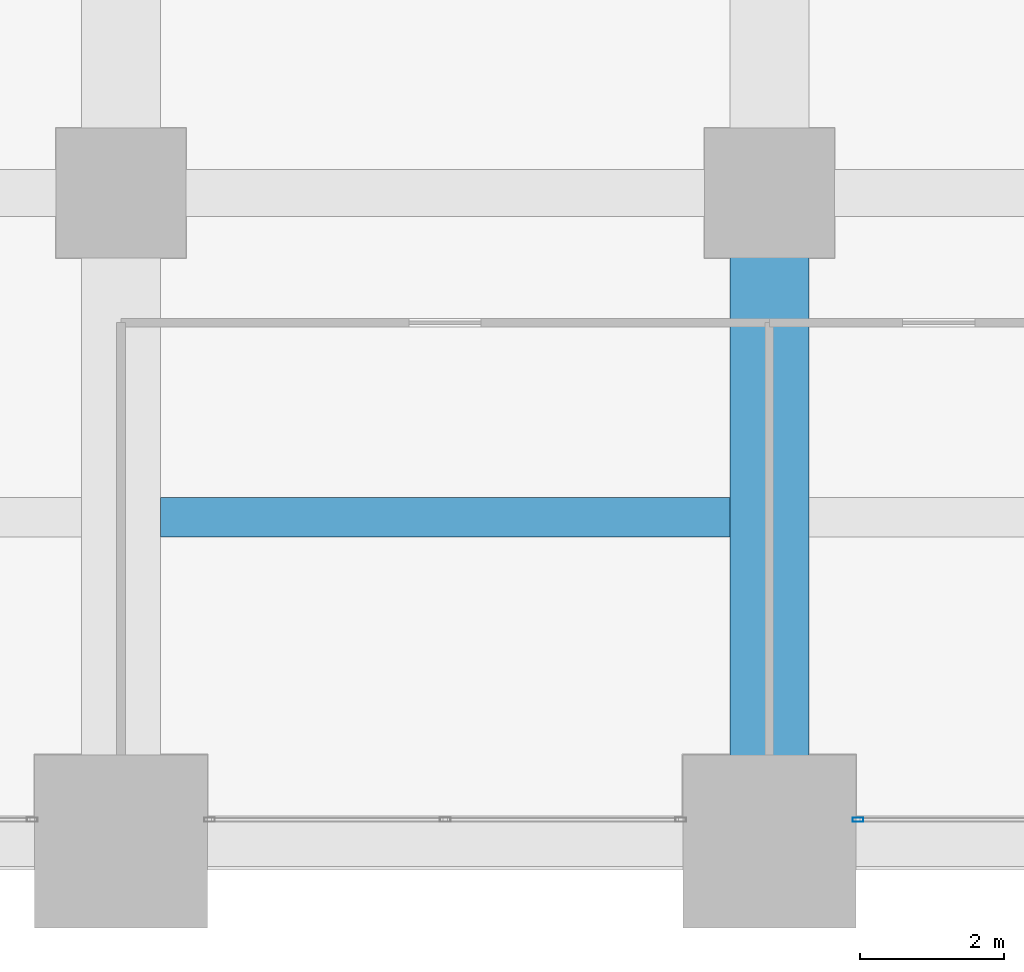
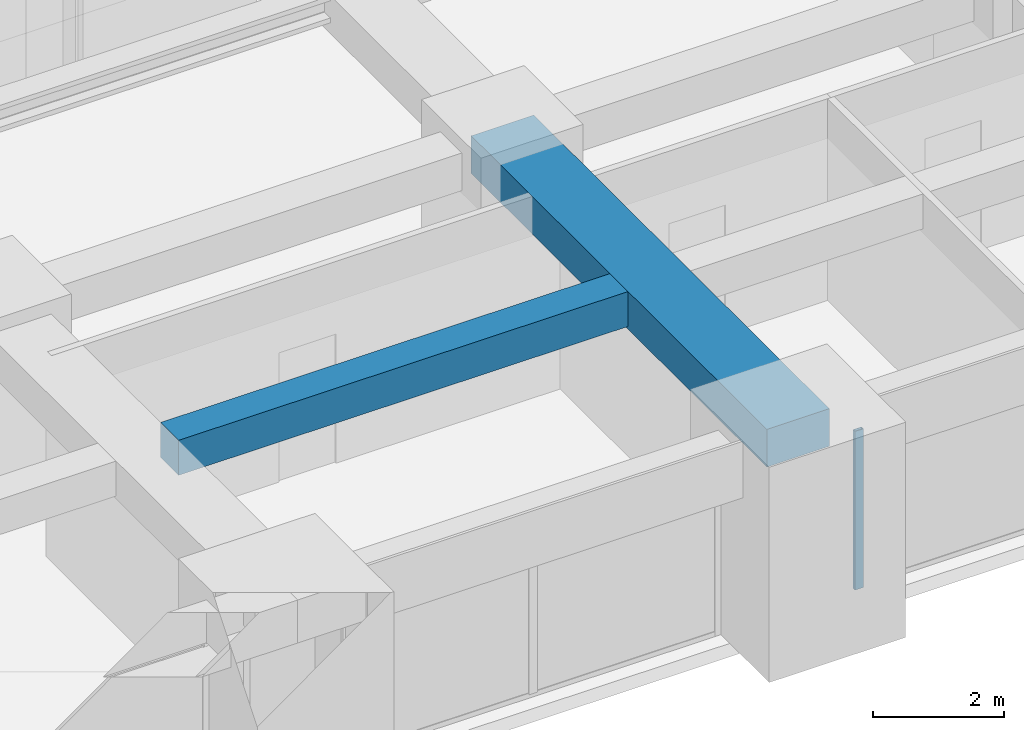
# One storey, part 14 of 41: 2 beams, 1 member, 1 element without a shape of its own.
"""IFC4 building model written with IfcOpenShell, lengths in metres."""

import ifcopenshell
import ifcopenshell.guid

model = None  # the IFC model being written
_history = None  # IfcOwnerHistory: only IFC2X3 demands one
_inside = {}  # id of a spatial element -> (the spatial element, [elements in it])
_under = {}  # id of a project, library or spatial element -> (it, [spatial elements below it])
_declared = {}  # id of a project -> (the project, [libraries it declares])
_typed = {}  # id of a type object -> (the type object, [elements of that type])
_made_of = {}  # id of a material, layer set ... -> (it, [elements and type objects made of it])


def new_model(schema):
    """Start an empty IFC model of exactly this schema.

    Asked for "IFC4X3", IfcOpenShell would pick the latest addendum, in which some entities
    have other attributes; the version numbers below select the first issue.
    IFC2X3 requires an IfcOwnerHistory on every rooted entity: one is made here for all.
    """
    global model, _history
    if schema == "IFC4X3":
        model = ifcopenshell.file(schema_version=(4, 3, 0, 0))
    else:
        model = ifcopenshell.file(schema=schema)
    _inside.clear()
    _under.clear()
    _declared.clear()
    _typed.clear()
    _made_of.clear()
    _history = None
    if model.schema == "IFC2X3":
        org = make("IfcOrganization", Name="unknown")
        user = make(
            "IfcPersonAndOrganization",
            ThePerson=make("IfcPerson", FamilyName="unknown"),
            TheOrganization=org,
        )
        app = make(
            "IfcApplication",
            ApplicationDeveloper=org,
            Version="unknown",
            ApplicationFullName="unknown",
            ApplicationIdentifier="unknown",
        )
        _history = make(
            "IfcOwnerHistory",
            OwningUser=user,
            OwningApplication=app,
            ChangeAction="ADDED",
            CreationDate=0,
        )
    return model


def make(cls, **values):
    """One entity of the class cls with the attributes given. An attribute that is None is left unset."""
    return model.create_entity(
        cls, **{name: value for name, value in values.items() if value is not None}
    )


def rooted(cls, **values):
    """An entity with a GlobalId (a new one), such as an element, a storey or a relation."""
    return make(cls, GlobalId=ifcopenshell.guid.new(), OwnerHistory=_history, **values)


def si_unit(unit_type, name, prefix=None):
    """IfcSIUnit, for example si_unit("LENGTHUNIT", "METRE", prefix="MILLI")."""
    return make("IfcSIUnit", UnitType=unit_type, Prefix=prefix, Name=name)


def assignment(units):
    """IfcUnitAssignment: the units of a project."""
    return None if units is None else make("IfcUnitAssignment", Units=units)


def point(xyz):
    """IfcCartesianPoint."""
    return None if xyz is None else make("IfcCartesianPoint", Coordinates=xyz)


def direction(xyz):
    """IfcDirection."""
    return None if xyz is None else make("IfcDirection", DirectionRatios=xyz)


def frame(location, z_axis=None, x_axis=None):
    """IfcAxis2Placement3D, a coordinate frame: its origin and axes. An axis left out is left unset."""
    return make(
        "IfcAxis2Placement3D",
        Location=point(location),
        Axis=direction(z_axis),
        RefDirection=direction(x_axis),
    )


def frame_2d(location, x_axis=None):
    """IfcAxis2Placement2D, a coordinate frame in the plane: its origin and x axis."""
    return make(
        "IfcAxis2Placement2D", Location=point(location), RefDirection=direction(x_axis)
    )


def origin():
    """The frame at (0, 0, 0) with its axes left unset."""
    return frame((0.0, 0.0, 0.0))


def origin_2d():
    """The frame at (0, 0) in the plane with its x axis left unset."""
    return frame_2d((0.0, 0.0))


def place(relative_to, where):
    """IfcLocalPlacement: puts the frame where relative to a parent placement (None: the world)."""
    return make(
        "IfcLocalPlacement", PlacementRelTo=relative_to, RelativePlacement=where
    )


def context(
    kind, dimensions, precision=None, world=None, true_north=None, identifier=None
):
    """IfcGeometricRepresentationContext, for example the 3D "Model" context."""
    return make(
        "IfcGeometricRepresentationContext",
        ContextIdentifier=identifier,
        ContextType=kind,
        CoordinateSpaceDimension=dimensions,
        Precision=precision,
        WorldCoordinateSystem=world,
        TrueNorth=true_north,
    )


def subcontext(parent, identifier, kind, view, scale=None):
    """IfcGeometricRepresentationSubContext, for example "Body" below "Model"."""
    return make(
        "IfcGeometricRepresentationSubContext",
        ContextIdentifier=identifier,
        ContextType=kind,
        ParentContext=parent,
        TargetScale=scale,
        TargetView=view,
    )


def project(units=None, contexts=None):
    """IfcProject with its units and contexts."""
    return rooted(
        "IfcProject",
        Name="project",
        RepresentationContexts=contexts,
        UnitsInContext=assignment(units),
    )


def spatial(cls, under=None, at=None, **own):
    """A site, building, storey or space (cls), placed at a placement, below another one or the project."""
    s = rooted(cls, ObjectPlacement=at, **own)
    if under is not None:
        _under.setdefault(under.id(), (under, []))[1].append(s)
    return s


def profile(cls, at=None, kind="AREA", **sizes):
    """A parametric profile (cls). Its sizes go by their IFC names, for example OverallWidth=200.0."""
    return make(cls, ProfileType=kind, Position=at, **sizes)


def rectangle(**sizes):
    """IfcRectangleProfileDef."""
    return profile("IfcRectangleProfileDef", **sizes)


def hollow_rectangle(**sizes):
    """IfcRectangleHollowProfileDef."""
    return profile("IfcRectangleHollowProfileDef", **sizes)


def extrude(swept, where, along, depth):
    """IfcExtrudedAreaSolid: the profile swept, set in the frame where, extruded along a direction by depth."""
    return make(
        "IfcExtrudedAreaSolid",
        SweptArea=swept,
        Position=where,
        ExtrudedDirection=direction(along),
        Depth=depth,
    )


def shape(context_of_items, identifier, shape_type, items):
    """IfcShapeRepresentation: the items that make up one representation, for example the "Body"."""
    return make(
        "IfcShapeRepresentation",
        ContextOfItems=context_of_items,
        RepresentationIdentifier=identifier,
        RepresentationType=shape_type,
        Items=items,
    )


def material(Name=None, Category=None):
    """IfcMaterial."""
    return make("IfcMaterial", Name=Name, Category=Category)


def material_profile(
    of_material, cross_section, Name=None, Category=None, Priority=None
):
    """IfcMaterialProfile: a cross section and its material."""
    return make(
        "IfcMaterialProfile",
        Name=Name,
        Material=of_material,
        Profile=cross_section,
        Priority=Priority,
        Category=Category,
    )


def profile_set(profiles, Name=None, composite=None):
    """IfcMaterialProfileSet."""
    return make(
        "IfcMaterialProfileSet",
        Name=Name,
        MaterialProfiles=profiles,
        CompositeProfile=composite,
    )


def made_of(thing, what):
    """Note that an element or type object is made of a material, layer set ...; save() writes the relation."""
    if what is not None:
        _made_of.setdefault(what.id(), (what, []))[1].append(thing)
    return thing


def type_object(cls, material=None, **own):
    """A type object (cls), such as IfcWallType, which elements share."""
    return made_of(rooted(cls, **own), material)


def element(
    cls,
    number,
    at=None,
    inside=None,
    cuts=None,
    type_object=None,
    material=None,
    context=None,
    identifier="Body",
    shape_type=None,
    held_by="IfcProductDefinitionShape",
    body=None,
    shapes=None,
    **own,
):
    """One element of the class cls, such as IfcWall. Its Tag is "e" and its number.

    at: its placement. inside: the storey or other place that contains it. cuts: it is an
    opening in that element (IfcRelVoidsElement). A single representation is given by context,
    identifier, shape_type and body (its items); several are given by shapes. held_by: the class
    of the entity that holds the representations. save() writes the other relations.
    """
    e = rooted(cls, Tag="e%d" % number, ObjectPlacement=at, **own)
    if body is not None:
        shapes = [shape(context, identifier, shape_type, body)]
    if shapes is not None:
        e.Representation = make(held_by, Representations=shapes)
    if inside is not None:
        _inside.setdefault(inside.id(), (inside, []))[1].append(e)
    if cuts is not None:
        rooted(
            "IfcRelVoidsElement", RelatingBuildingElement=cuts, RelatedOpeningElement=e
        )
    if type_object is not None:
        _typed.setdefault(type_object.id(), (type_object, []))[1].append(e)
    return made_of(e, material)


def aggregate(whole, parts):
    """IfcRelAggregates: a whole, such as a stair, and the parts it consists of."""
    return rooted("IfcRelAggregates", RelatingObject=whole, RelatedObjects=parts)


def save(model, path):
    """Write the relations noted so far, then the file.

    IfcRelAggregates (storeys below a building ...), IfcRelContainedInSpatialStructure (elements
    in a storey), IfcRelDefinesByType, IfcRelAssociatesMaterial and IfcRelDeclares: one each for
    every whole, place, type object, material and project.
    """
    for whole, parts in _under.values():
        aggregate(whole, parts)
    for where, things in _inside.values():
        rooted(
            "IfcRelContainedInSpatialStructure",
            RelatedElements=things,
            RelatingStructure=where,
        )
    for kind, things in _typed.values():
        rooted("IfcRelDefinesByType", RelatedObjects=things, RelatingType=kind)
    for what, things in _made_of.values():
        rooted("IfcRelAssociatesMaterial", RelatedObjects=things, RelatingMaterial=what)
    for by, libraries in _declared.values():
        rooted("IfcRelDeclares", RelatingContext=by, RelatedDefinitions=libraries)
    model.write(path)


model = new_model("IFC4")

# Units and contexts
model_context = context("Model", 3, precision=1e-05, world=origin(), true_north=direction((0.0, 1.0)))
body_context = subcontext(model_context, "Body", "Model", "MODEL_VIEW")
ifc_project = project(units=[si_unit("LENGTHUNIT", "METRE"), si_unit("AREAUNIT", "SQUARE_METRE"), si_unit("VOLUMEUNIT", "CUBIC_METRE"), si_unit("PLANEANGLEUNIT", "RADIAN"), si_unit("MASSUNIT", "GRAM", prefix="KILO")], contexts=[model_context])

# Site, building, storey
site_placement = place(None, origin())
site = spatial("IfcSite", under=ifc_project, at=site_placement, CompositionType="ELEMENT")
building_placement = place(site_placement, origin())
building = spatial("IfcBuilding", under=site, at=building_placement, Name="Zorevar Civic Tower", CompositionType="ELEMENT")
storey_placement = place(building_placement, frame((0.0, 0.0, 137.0)))
storey = spatial("IfcBuildingStorey", under=building, at=storey_placement, Name="L33", CompositionType="ELEMENT", Elevation=137.0)

# Beams
ifc_material_1 = material(Name="Concrete C50/60", Category="concrete")
ifc_material_profile_1 = material_profile(ifc_material_1, rectangle(XDim=1.10009765625, YDim=0.699951171875, at=origin_2d()), Name="RC 1100x700")
ifc_profile_set_1 = profile_set([ifc_material_profile_1], Name="Concrete C50/60")
beam_type_1 = type_object("IfcBeamType", Name="Beam RC 1100x700", PredefinedType="BEAM", material=ifc_profile_set_1)
beam_1_placement = place(storey_placement, frame((45.0, 0.0, 3.39990234375), z_axis=(0.0, 1.0, 0.0), x_axis=(-1.0, 0.0, 0.0)))
element("IfcBeam", 1, at=beam_1_placement, inside=storey, type_object=beam_type_1, Name="Girder L34", PredefinedType="BEAM", context=body_context, shape_type="SweptSolid", body=[
    extrude(rectangle(XDim=1.10009765625, YDim=0.699951171875, at=origin_2d()), origin(), (0.0, 0.0, 1.0), 9.0),
])
ifc_material_2 = material(Name="Concrete C50/60", Category="concrete")
ifc_material_profile_2 = material_profile(ifc_material_2, rectangle(XDim=0.550048828125, YDim=0.64990234375, at=origin_2d()), Name="RC 550x650")
ifc_profile_set_2 = profile_set([ifc_material_profile_2], Name="Concrete C50/60")
beam_type_2 = type_object("IfcBeamType", Name="Beam RC 550x650", PredefinedType="BEAM", material=ifc_profile_set_2)
beam_2_placement = place(storey_placement, frame((36.550048828125, 4.5, 3.425048828125), z_axis=(1.0, 0.0, 0.0), x_axis=(0.0, 1.0, 0.0)))
element("IfcBeam", 2, at=beam_2_placement, inside=storey, type_object=beam_type_2, Name="Secondary beam L34", PredefinedType="BEAM", context=body_context, shape_type="SweptSolid", body=[
    extrude(rectangle(XDim=0.550048828125, YDim=0.64990234375, at=origin_2d()), origin(), (0.0, 0.0, 1.0), 7.89990234375),
])

# Curtain wall, member
ifc_material_3 = material(Name="Dark grey solar-control glass in black aluminium frame", Category="aluminium")
curtain_wall_type = type_object("IfcCurtainWallType", Name="Curtain wall CW3 mid zone", PredefinedType="NOTDEFINED", material=ifc_material_3)
curtain_wall_placement = place(storey_placement, origin())
curtain_wall = element("IfcCurtainWall", 3, at=curtain_wall_placement, inside=storey, type_object=curtain_wall_type, Name="CW3 L33", PredefinedType="NOTDEFINED")
ifc_material_4 = material(Name="Aluminium, black anodised", Category="aluminium")
ifc_material_profile_3 = material_profile(ifc_material_4, hollow_rectangle(XDim=0.06005859375, YDim=0.14990234375, WallThickness=0.00390625, at=origin_2d()), Name="AL 150x60x4")
ifc_profile_set_3 = profile_set([ifc_material_profile_3], Name="Aluminium, black anodised")
member_type = type_object("IfcMemberType", Name="CW3 mullion AL 150x60x4", PredefinedType="MULLION", material=ifc_profile_set_3)
member_placement = place(storey_placement, frame((46.22998046875, 0.300048828125, 0.0), z_axis=(0.0, 0.0, 1.0), x_axis=(0.0, 1.0, 0.0)))
member = element("IfcMember", 4, at=member_placement, type_object=member_type, Name="CW3 mullion 1", PredefinedType="MULLION", context=body_context, shape_type="SweptSolid", body=[
    extrude(hollow_rectangle(XDim=0.06005859375, YDim=0.14990234375, WallThickness=0.00390625, at=origin_2d()), origin(), (0.0, 0.0, 1.0), 2.949951171875),
])
aggregate(curtain_wall, [member])

save(model, "model.ifc")
